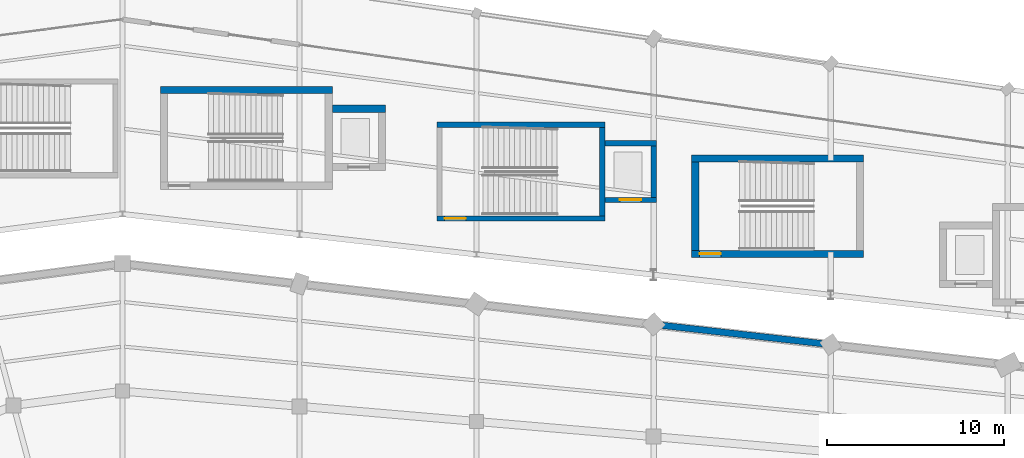
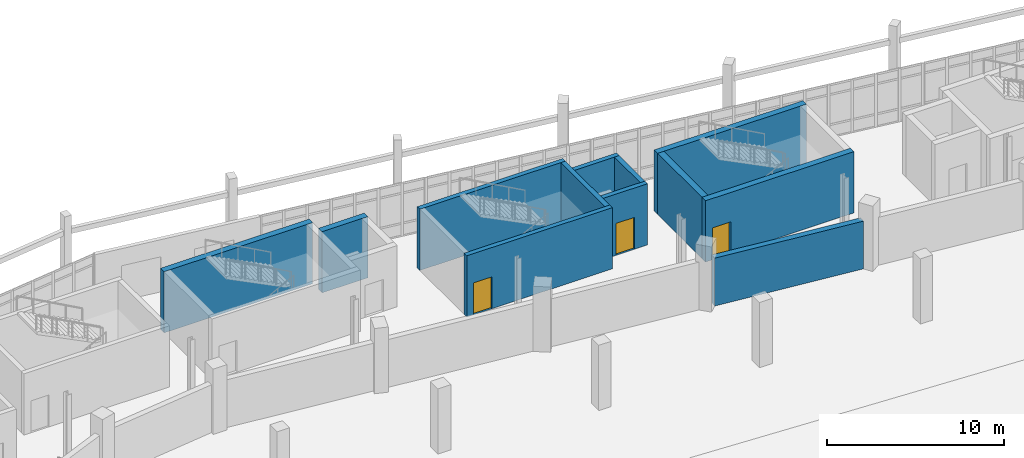
# One storey, part 105 of 122: 12 walls, 3 doors, 3 openings.
"""IFC4 building model written with IfcOpenShell, lengths in metres."""

from ifc_helpers import new_model, si_unit, direction, frame, frame_2d, origin, place, context, subcontext, project, spatial, rectangle, extrude, material, layer, layer_set, type_object, element, fill, save


model = new_model("IFC4")

# Units and contexts
model_context = context("Model", 3, precision=1e-05, world=origin(), true_north=direction((0.0, 1.0)))
body_context = subcontext(model_context, "Body", "Model", "MODEL_VIEW")
ifc_project = project(units=[si_unit("LENGTHUNIT", "METRE"), si_unit("AREAUNIT", "SQUARE_METRE"), si_unit("VOLUMEUNIT", "CUBIC_METRE"), si_unit("PLANEANGLEUNIT", "RADIAN"), si_unit("MASSUNIT", "GRAM", prefix="KILO")], contexts=[model_context])

# Site, building, storey
site_placement = place(None, origin())
site = spatial("IfcSite", under=ifc_project, at=site_placement, CompositionType="ELEMENT")
building_placement = place(site_placement, origin())
building = spatial("IfcBuilding", under=site, at=building_placement, Name="Sohan Crest Arena", CompositionType="ELEMENT")
storey_placement = place(building_placement, origin())
storey = spatial("IfcBuildingStorey", under=building, at=storey_placement, Name="L00", CompositionType="ELEMENT", Elevation=0.0)

# Walls
ifc_material_1 = material(Name="Acoustic insulated bowl drum enclosure wall", Category="masonry")
ifc_layer_1 = layer(ifc_material_1, 0.3701171875, Name="Acoustic insulated bowl drum enclosure wall")
ifc_layer_set_1 = layer_set([ifc_layer_1], Name="Acoustic insulated bowl drum enclosure wall")
wall_type_1 = type_object("IfcWallType", Name="WAL-EW05", PredefinedType="SOLIDWALL", material=ifc_layer_set_1)
wall_1_placement = place(storey_placement, frame((137.56298828125, 104.47900390625, 0.0), z_axis=(0.0, 0.0, 1.0), x_axis=(-0.993544661122, 0.113441642955, 0.0)))
element("IfcWall", 1, at=wall_1_placement, inside=storey, type_object=wall_type_1, Name="Acoustic bowl drum wall BW-L00-31", PredefinedType="SOLIDWALL", context=body_context, shape_type="SweptSolid", body=[
    extrude(rectangle(XDim=9.185302734375, YDim=0.3701171875, at=frame_2d((4.5927734375, 0.0))), origin(), (0.0, 0.0, 1.0), 3.300048828125),
])
ifc_material_2 = material(Name="Concrete C40/50", Category="concrete")
ifc_layer_2 = layer(ifc_material_2, 0.300048828125, Name="Concrete C40/50")
ifc_layer_set_2 = layer_set([ifc_layer_2], Name="Concrete C40/50")
wall_type_2 = type_object("IfcWallType", Name="WAL-SW01", PredefinedType="SHEAR", material=ifc_layer_set_2)
wall_2_placement = place(storey_placement, frame((125.10009765625, 111.699951171875, 0.0), z_axis=(0.0, 0.0, 1.0), x_axis=(0.0, 1.0, 0.0)))
element("IfcWall", 2, at=wall_2_placement, inside=storey, type_object=wall_type_2, Name="Core shear wall SW-0375", PredefinedType="SHEAR", context=body_context, shape_type="SweptSolid", body=[
    extrude(rectangle(XDim=5.0, YDim=0.300048828125, at=frame_2d((2.5, 0.0))), origin(), (0.0, 0.0, 1.0), 4.22509765625),
])

# Wall, opening, door
wall_3_placement = place(storey_placement, frame((115.75, 111.550048828125, 0.0), z_axis=(0.0, 0.0, 1.0), x_axis=(1.0, 0.0, 0.0)))
wall_3 = element("IfcWall", 3, at=wall_3_placement, inside=storey, type_object=wall_type_2, Name="Core shear wall SW-0376", PredefinedType="SHEAR", context=body_context, shape_type="SweptSolid", body=[
    extrude(rectangle(XDim=9.5, YDim=0.300048828125, at=frame_2d((4.75, 0.0))), origin(), (0.0, 0.0, 1.0), 4.22509765625),
])
opening_1_placement = place(wall_3_placement, frame((0.449951171875, 0.0, 0.0)))
opening_1 = element("IfcOpeningElement", 4, at=opening_1_placement, cuts=wall_3, Name="Opening SD-0105", PredefinedType="OPENING", context=body_context, shape_type="SweptSolid", body=[
    extrude(rectangle(XDim=1.199951171875, YDim=2.199951171875, at=frame_2d((0.60009765625, 1.10009765625))), frame((0.0, 0.159912109375, 0.0), z_axis=(0.0, -1.0, 0.0), x_axis=(1.0, 0.0, 0.0)), (0.0, 0.0, 1.0), 0.320068359375),
])
ifc_material_3 = material(Name="Fire-rated steel stair and lobby door", Category="steel")
door_type_1 = type_object("IfcDoorType", Name="DR-FD04", OperationType="NOTDEFINED", PredefinedType="DOOR", material=ifc_material_3)
door_1_placement = place(opening_1_placement, frame((1.199951171875, 0.0, 0.0), z_axis=(0.0, 0.0, 1.0), x_axis=(-1.0, 0.0, 0.0)))
door_1 = element("IfcDoor", 5, at=door_1_placement, inside=storey, type_object=door_type_1, Name="Protected stair door SD-0105", OperationType="SINGLE_SWING_RIGHT", OverallHeight=2.199951171875, OverallWidth=1.199951171875, PredefinedType="DOOR", context=body_context, shape_type="SweptSolid", body=[
    extrude(rectangle(XDim=1.199951171875, YDim=2.199951171875, at=frame_2d((0.60009765625, 1.10009765625))), frame((0.0, 0.02490234375, 0.0), z_axis=(0.0, -1.0, 0.0), x_axis=(1.0, 0.0, 0.0)), (0.0, 0.0, 1.0), 0.050048828125),
])
fill(opening_1, door_1)

# Walls
wall_4_placement = place(storey_placement, frame((115.75, 116.85009765625, 0.0), z_axis=(0.0, 0.0, 1.0), x_axis=(1.0, 0.0, 0.0)))
element("IfcWall", 6, at=wall_4_placement, inside=storey, type_object=wall_type_2, Name="Core shear wall SW-0377", PredefinedType="SHEAR", context=body_context, shape_type="SweptSolid", body=[
    extrude(rectangle(XDim=9.5, YDim=0.300048828125, at=frame_2d((4.75, 0.0))), origin(), (0.0, 0.0, 1.0), 4.22509765625),
])
wall_5_placement = place(storey_placement, frame((128.0, 112.75, 0.0), z_axis=(0.0, 0.0, 1.0), x_axis=(0.0, 1.0, 0.0)))
element("IfcWall", 7, at=wall_5_placement, inside=storey, type_object=wall_type_2, Name="Core shear wall SW-0378", PredefinedType="SHEAR", context=body_context, shape_type="SweptSolid", body=[
    extrude(rectangle(XDim=2.89990234375, YDim=0.300048828125, at=frame_2d((1.449951171875, 0.0))), origin(), (0.0, 0.0, 1.0), 4.22509765625),
])

# Wall, opening, door
wall_6_placement = place(storey_placement, frame((125.25, 112.60009765625, 0.0), z_axis=(0.0, 0.0, 1.0), x_axis=(1.0, 0.0, 0.0)))
wall_6 = element("IfcWall", 8, at=wall_6_placement, inside=storey, type_object=wall_type_2, Name="Core shear wall SW-0379", PredefinedType="SHEAR", context=body_context, shape_type="SweptSolid", body=[
    extrude(rectangle(XDim=2.89990234375, YDim=0.300048828125, at=frame_2d((1.449951171875, 0.0))), origin(), (0.0, 0.0, 1.0), 4.22509765625),
])
opening_2_placement = place(wall_6_placement, frame((0.85009765625, 0.0, 0.0)))
opening_2 = element("IfcOpeningElement", 9, at=opening_2_placement, cuts=wall_6, Name="Opening LD-LP06-L00", PredefinedType="OPENING", context=body_context, shape_type="SweptSolid", body=[
    extrude(rectangle(XDim=1.199951171875, YDim=2.199951171875, at=frame_2d((0.60009765625, 1.10009765625))), frame((0.0, 0.159912109375, 0.0), z_axis=(0.0, -1.0, 0.0), x_axis=(1.0, 0.0, 0.0)), (0.0, 0.0, 1.0), 0.320068359375),
])
ifc_material_4 = material(Name="Stainless steel passenger lift landing door", Category="steel")
door_type_2 = type_object("IfcDoorType", Name="DR-LD02", OperationType="SLIDING_TO_LEFT", PredefinedType="DOOR", material=ifc_material_4)
door_2_placement = place(opening_2_placement, origin())
door_2 = element("IfcDoor", 10, at=door_2_placement, inside=storey, type_object=door_type_2, Name="Sliding lift landing door LD-LP06-L00", OperationType="SLIDING_TO_LEFT", OverallHeight=2.199951171875, OverallWidth=1.199951171875, PredefinedType="DOOR", context=body_context, shape_type="SweptSolid", body=[
    extrude(rectangle(XDim=1.199951171875, YDim=2.199951171875, at=frame_2d((0.60009765625, 1.10009765625))), frame((0.0, 0.02490234375, 0.0), z_axis=(0.0, -1.0, 0.0), x_axis=(1.0, 0.0, 0.0)), (0.0, 0.0, 1.0), 0.050048828125),
])
fill(opening_2, door_2)

# Walls
wall_7_placement = place(storey_placement, frame((125.25, 115.800048828125, 0.0), z_axis=(0.0, 0.0, 1.0), x_axis=(1.0, 0.0, 0.0)))
element("IfcWall", 11, at=wall_7_placement, inside=storey, type_object=wall_type_2, Name="Core shear wall SW-0380", PredefinedType="SHEAR", context=body_context, shape_type="SweptSolid", body=[
    extrude(rectangle(XDim=2.89990234375, YDim=0.300048828125, at=frame_2d((1.449951171875, 0.0))), origin(), (0.0, 0.0, 1.0), 4.22509765625),
])
ifc_layer_3 = layer(ifc_material_2, 0.39990234375, Name="Concrete C40/50")
ifc_layer_set_3 = layer_set([ifc_layer_3], Name="Concrete C40/50")
wall_type_3 = type_object("IfcWallType", Name="WAL-SW03", PredefinedType="SHEAR", material=ifc_layer_set_3)
wall_8_placement = place(storey_placement, frame((100.14990234375, 118.800048828125, 0.0), z_axis=(0.0, 0.0, 1.0), x_axis=(1.0, 0.0, 0.0)))
element("IfcWall", 12, at=wall_8_placement, inside=storey, type_object=wall_type_3, Name="Core shear wall SW-0292", PredefinedType="SHEAR", context=body_context, shape_type="SweptSolid", body=[
    extrude(rectangle(XDim=9.7001953125, YDim=0.39990234375, at=frame_2d((4.85009765625, 0.0))), origin(), (0.0, 0.0, 1.0), 4.22509765625),
])
wall_9_placement = place(storey_placement, frame((109.85009765625, 117.75, 0.0), z_axis=(0.0, 0.0, 1.0), x_axis=(1.0, 0.0, 0.0)))
element("IfcWall", 13, at=wall_9_placement, inside=storey, type_object=wall_type_3, Name="Core shear wall SW-0295", PredefinedType="SHEAR", context=body_context, shape_type="SweptSolid", body=[
    extrude(rectangle(XDim=3.0, YDim=0.39990234375, at=frame_2d((1.5, 0.0))), origin(), (0.0, 0.0, 1.0), 4.22509765625),
])
wall_10_placement = place(storey_placement, frame((130.35009765625, 109.75, 0.0), z_axis=(0.0, 0.0, 1.0), x_axis=(0.0, 1.0, 0.0)))
element("IfcWall", 14, at=wall_10_placement, inside=storey, type_object=wall_type_3, Name="Core shear wall SW-0809", PredefinedType="SHEAR", context=body_context, shape_type="SweptSolid", body=[
    extrude(rectangle(XDim=5.0, YDim=0.39990234375, at=frame_2d((2.5, 0.0))), origin(), (0.0, 0.0, 1.0), 4.22509765625),
])

# Wall, opening, door
wall_11_placement = place(storey_placement, frame((130.14990234375, 109.550048828125, 0.0), z_axis=(0.0, 0.0, 1.0), x_axis=(1.0, 0.0, 0.0)))
wall_11 = element("IfcWall", 15, at=wall_11_placement, inside=storey, type_object=wall_type_3, Name="Core shear wall SW-0811", PredefinedType="SHEAR", context=body_context, shape_type="SweptSolid", body=[
    extrude(rectangle(XDim=9.7001953125, YDim=0.39990234375, at=frame_2d((4.85009765625, 0.0))), origin(), (0.0, 0.0, 1.0), 4.22509765625),
])
opening_3_placement = place(wall_11_placement, frame((0.449951171875, 0.0, 0.0)))
opening_3 = element("IfcOpeningElement", 16, at=opening_3_placement, cuts=wall_11, Name="Opening SD-0218", PredefinedType="OPENING", context=body_context, shape_type="SweptSolid", body=[
    extrude(rectangle(XDim=1.199951171875, YDim=2.199951171875, at=frame_2d((0.60009765625, 1.10009765625))), frame((0.0, 0.2099609375, 0.0), z_axis=(0.0, -1.0, 0.0), x_axis=(1.0, 0.0, 0.0)), (0.0, 0.0, 1.0), 0.419921875),
])
door_3_placement = place(opening_3_placement, frame((1.199951171875, 0.0, 0.0), z_axis=(0.0, 0.0, 1.0), x_axis=(-1.0, 0.0, 0.0)))
door_3 = element("IfcDoor", 17, at=door_3_placement, inside=storey, type_object=door_type_1, Name="Protected stair door SD-0218", OperationType="SINGLE_SWING_RIGHT", OverallHeight=2.199951171875, OverallWidth=1.199951171875, PredefinedType="DOOR", context=body_context, shape_type="SweptSolid", body=[
    extrude(rectangle(XDim=1.199951171875, YDim=2.199951171875, at=frame_2d((0.60009765625, 1.10009765625))), frame((0.0, 0.02490234375, 0.0), z_axis=(0.0, -1.0, 0.0), x_axis=(1.0, 0.0, 0.0)), (0.0, 0.0, 1.0), 0.050048828125),
])
fill(opening_3, door_3)

# Wall
wall_12_placement = place(storey_placement, frame((130.14990234375, 114.949951171875, 0.0), z_axis=(0.0, 0.0, 1.0), x_axis=(1.0, 0.0, 0.0)))
element("IfcWall", 18, at=wall_12_placement, inside=storey, type_object=wall_type_3, Name="Core shear wall SW-0812", PredefinedType="SHEAR", context=body_context, shape_type="SweptSolid", body=[
    extrude(rectangle(XDim=9.7001953125, YDim=0.39990234375, at=frame_2d((4.85009765625, 0.0))), origin(), (0.0, 0.0, 1.0), 4.22509765625),
])

save(model, "model.ifc")
